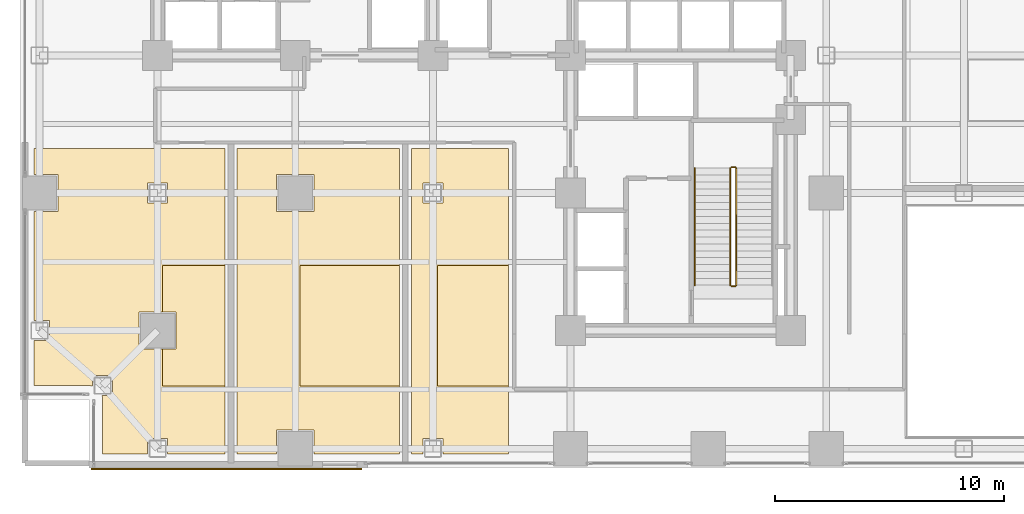
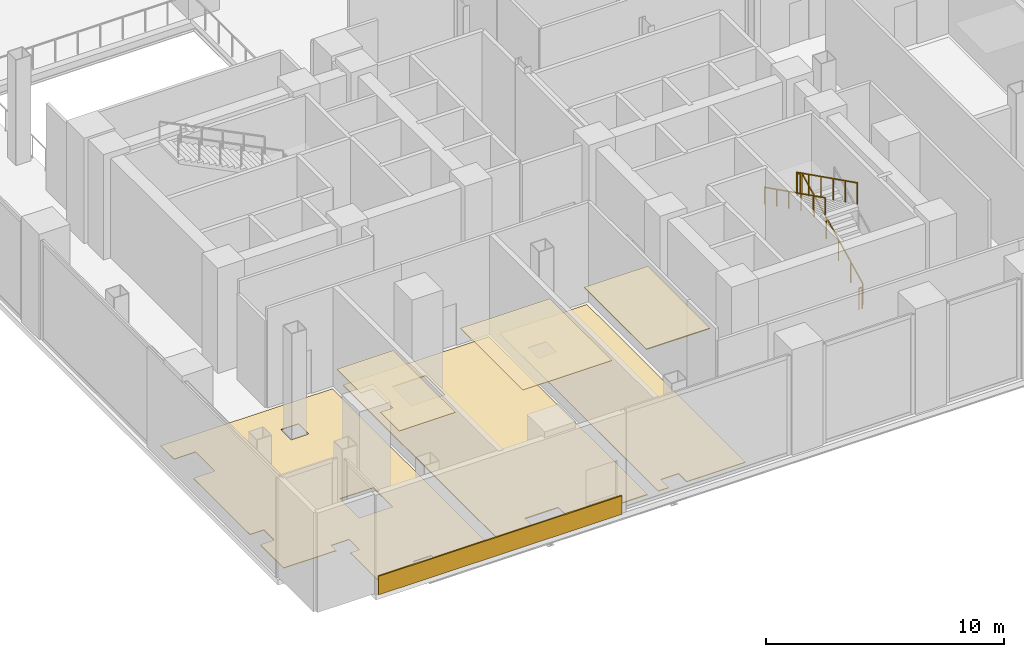
# One storey, part 24 of 28: 7 coverings, 5 railings.
"""IFC4 building model written with IfcOpenShell, lengths in metres."""

from ifc_helpers import new_model, si_unit, direction, frame, origin, origin_2d, place, context, subcontext, project, spatial, polyline, rectangle, outline, extrude, material, layer, layer_set, type_object, element, save


model = new_model("IFC4")

# Units and contexts
model_context = context("Model", 3, precision=1e-05, world=origin(), true_north=direction((0.0, 1.0)))
body_context = subcontext(model_context, "Body", "Model", "MODEL_VIEW")
ifc_project = project(units=[si_unit("LENGTHUNIT", "METRE"), si_unit("AREAUNIT", "SQUARE_METRE"), si_unit("VOLUMEUNIT", "CUBIC_METRE"), si_unit("PLANEANGLEUNIT", "RADIAN"), si_unit("MASSUNIT", "GRAM", prefix="KILO"), si_unit("THERMODYNAMICTEMPERATUREUNIT", "KELVIN"), si_unit("POWERUNIT", "WATT")], contexts=[model_context])

# Site, building, storey
site_placement = place(None, origin())
site = spatial("IfcSite", under=ifc_project, at=site_placement, CompositionType="ELEMENT")
building_placement = place(site_placement, origin())
building = spatial("IfcBuilding", under=site, at=building_placement, Name="Svarakhadi Broadcast Tower", CompositionType="ELEMENT")
storey_placement = place(building_placement, frame((0.0, 0.0, 11.10009765625)))
storey = spatial("IfcBuildingStorey", under=building, at=storey_placement, Name="L02", CompositionType="ELEMENT", Elevation=11.10009765625)

# Coverings
ifc_material_1 = material(Name="Glazed Monsoon Terracotta Rainscreen Tile", Category="masonry")
ifc_layer_1 = layer(ifc_material_1, 0.06494140625)
ifc_layer_set_1 = layer_set([ifc_layer_1], Name="Glazed Monsoon Terracotta Rainscreen Tile")
covering_type_1 = type_object("IfcCoveringType", Name="Cladding_Terracotta_CL01", PredefinedType="CLADDING", material=ifc_layer_set_1)
covering_1_placement = place(storey_placement, origin())
element("IfcCovering", 1, at=covering_1_placement, inside=storey, type_object=covering_type_1, Name="L02 Terracotta Monsoon Spandrel Rainscreen Cladding CL-01", PredefinedType="CLADDING", context=body_context, shape_type="SweptSolid", body=[
    extrude(outline(polyline([(3.10009765625, -0.06494140625), (14.89990234375, -0.06494140625), (14.89990234375, 0.0), (3.10009765625, 0.0), (3.10009765625, -0.06494140625)])), origin(), (0.0, 0.0, 1.0), 0.949951171875),
])
ifc_material_2 = material(Name="Anodised Bronze Aluminium Linear Acoustic Baffle", Category="aluminium")
ifc_layer_2 = layer(ifc_material_2, 0.044921875)
ifc_layer_set_2 = layer_set([ifc_layer_2], Name="Anodised Bronze Aluminium Linear Acoustic Baffle")
covering_type_2 = type_object("IfcCoveringType", Name="Cov_Ceiling_Baffle", PredefinedType="CEILING", material=ifc_layer_set_2)
covering_2_placement = place(storey_placement, frame((0.0, 0.0, 5.054931640625)))
element("IfcCovering", 2, at=covering_2_placement, inside=storey, type_object=covering_type_2, Name="L02 L02 Crew Green Room and Pantry Acoustic Ceiling", PredefinedType="CEILING", context=body_context, shape_type="SweptSolid", body=[
    extrude(outline(polyline([(21.2900390625, 3.594970703125), (18.2099609375, 3.594970703125), (18.2099609375, 8.830078125), (21.2900390625, 8.830078125), (21.2900390625, 3.594970703125)])), origin(), (0.0, 0.0, 1.0), 0.044921875),
])
ifc_material_3 = material(Name="Micro-Perforated Mineral Fibre Acoustic Ceiling Tile", Category="mineral_fibre")
ifc_layer_3 = layer(ifc_material_3, 0.02490234375)
ifc_layer_set_3 = layer_set([ifc_layer_3], Name="Micro-Perforated Mineral Fibre Acoustic Ceiling Tile")
covering_type_3 = type_object("IfcCoveringType", Name="Cov_Ceiling_Tile", PredefinedType="CEILING", material=ifc_layer_set_3)
covering_3_placement = place(storey_placement, frame((0.0, 0.0, 5.074951171875)))
element("IfcCovering", 3, at=covering_3_placement, inside=storey, type_object=covering_type_3, Name="L02 L02 Master Control Broadcast Room Acoustic Ceiling", PredefinedType="CEILING", context=body_context, shape_type="SweptSolid", body=[
    extrude(outline(polyline([(8.93994140625, 3.594970703125), (6.2099609375, 3.594970703125), (6.2099609375, 3.81005859375), (6.2099609375, 5.18994140625), (6.81005859375, 5.18994140625), (6.81005859375, 6.81005859375), (6.2099609375, 6.81005859375), (6.2099609375, 8.830078125), (8.93994140625, 8.830078125), (8.93994140625, 3.594970703125)])), origin(), (0.0, 0.0, 1.0), 0.02490234375),
])
covering_4_placement = place(storey_placement, frame((0.0, 0.0, 5.074951171875)))
element("IfcCovering", 4, at=covering_4_placement, inside=storey, type_object=covering_type_3, Name="L02 L02 Audio Post-Production Mixing Room Acoustic Ceiling", PredefinedType="CEILING", context=body_context, shape_type="SweptSolid", body=[
    extrude(outline(polyline([(16.5400390625, 3.594970703125), (12.2099609375, 3.594970703125), (12.2099609375, 8.830078125), (16.5400390625, 8.830078125), (16.5400390625, 3.594970703125)])), origin(), (0.0, 0.0, 1.0), 0.02490234375),
])
ifc_material_4 = material(Name="Heavy-Duty Anti-Static Broadcast Raised Access Floor", Category="steel")
ifc_layer_4 = layer(ifc_material_4, 0.050048828125)
ifc_layer_set_4 = layer_set([ifc_layer_4], Name="Heavy-Duty Anti-Static Broadcast Raised Access Floor")
covering_type_4 = type_object("IfcCoveringType", Name="Cov_Floor_Access", PredefinedType="FLOORING", material=ifc_layer_set_4)
covering_5_placement = place(storey_placement, origin())
element("IfcCovering", 5, at=covering_5_placement, inside=storey, type_object=covering_type_4, Name="L02 L02 Audio Post-Production Mixing Room Floor Finish", PredefinedType="FLOORING", context=body_context, shape_type="SweptSolid", body=[
    extrude(outline(polyline([(16.5400390625, 13.93994140625), (16.5400390625, 0.610107421875), (12.81005859375, 0.610107421875), (12.81005859375, 1.659912109375), (11.18994140625, 1.659912109375), (11.18994140625, 0.610107421875), (9.4599609375, 0.610107421875), (9.4599609375, 13.93994140625), (16.5400390625, 13.93994140625)]), holes=[polyline([(11.18994140625, 11.18994140625), (12.81005859375, 11.18994140625), (12.81005859375, 12.81005859375), (11.18994140625, 12.81005859375), (11.18994140625, 11.18994140625)])]), origin(), (0.0, 0.0, 1.0), 0.0498046875),
])
ifc_material_5 = material(Name="Honed Konkan Basalt Stone Tile Flooring", Category="masonry")
ifc_layer_5 = layer(ifc_material_5, 0.034912109375)
ifc_layer_set_5 = layer_set([ifc_layer_5], Name="Honed Konkan Basalt Stone Tile Flooring")
covering_type_5 = type_object("IfcCoveringType", Name="Cov_Floor_Basalt", PredefinedType="FLOORING", material=ifc_layer_set_5)
covering_6_placement = place(storey_placement, origin())
element("IfcCovering", 6, at=covering_6_placement, inside=storey, type_object=covering_type_5, Name="L02 L02 Master Control Broadcast Room Floor Finish", PredefinedType="FLOORING", context=body_context, shape_type="SweptSolid", body=[
    extrude(outline(polyline([(8.93994140625, 0.610107421875), (6.43505859375, 0.610107421875), (6.43505859375, 1.284912109375), (5.56494140625, 1.284912109375), (5.56494140625, 0.610107421875), (3.60009765625, 0.610107421875), (3.60009765625, 3.0), (3.60009765625, 3.009033203125), (3.597900390625, 3.050048828125), (3.595947265625, 3.06689453125), (3.590087890625, 3.10791015625), (3.5869140625, 3.1259765625), (3.576904296875, 3.1650390625), (4.034912109375, 3.1650390625), (4.034912109375, 4.034912109375), (3.1650390625, 4.034912109375), (3.1650390625, 3.576904296875), (3.1259765625, 3.5869140625), (3.10791015625, 3.590087890625), (3.06689453125, 3.595947265625), (3.050048828125, 3.597900390625), (3.009033203125, 3.60009765625), (3.0, 3.60009765625), (0.610107421875, 3.60009765625), (0.610107421875, 5.56494140625), (1.284912109375, 5.56494140625), (1.284912109375, 6.43505859375), (0.610107421875, 6.43505859375), (0.610107421875, 11.18994140625), (1.659912109375, 11.18994140625), (1.659912109375, 12.81005859375), (0.610107421875, 12.81005859375), (0.610107421875, 13.93994140625), (8.93994140625, 13.93994140625), (8.93994140625, 0.610107421875)]), holes=[polyline([(5.18994140625, 5.18994140625), (6.81005859375, 5.18994140625), (6.81005859375, 6.81005859375), (5.18994140625, 6.81005859375), (5.18994140625, 5.18994140625)]), polyline([(5.56494140625, 11.56494140625), (6.43505859375, 11.56494140625), (6.43505859375, 12.43505859375), (5.56494140625, 12.43505859375), (5.56494140625, 11.56494140625)])]), origin(), (0.0, 0.0, 1.0), 0.034912109375),
])
covering_7_placement = place(storey_placement, origin())
element("IfcCovering", 7, at=covering_7_placement, inside=storey, type_object=covering_type_5, Name="L02 L02 Crew Green Room and Pantry Floor Finish", PredefinedType="FLOORING", context=body_context, shape_type="SweptSolid", body=[
    extrude(outline(polyline([(21.2900390625, 13.93994140625), (21.2900390625, 0.610107421875), (18.43505859375, 0.610107421875), (18.43505859375, 1.284912109375), (17.56494140625, 1.284912109375), (17.56494140625, 0.610107421875), (17.06005859375, 0.610107421875), (17.06005859375, 13.93994140625), (21.2900390625, 13.93994140625)]), holes=[polyline([(17.56494140625, 11.56494140625), (18.43505859375, 11.56494140625), (18.43505859375, 12.43505859375), (17.56494140625, 12.43505859375), (17.56494140625, 11.56494140625)])]), origin(), (0.0, 0.0, 1.0), 0.034912109375),
])

# Railings
ifc_material_6 = material(Name="Anodised Bronze Aluminium AA 6063-T6", Category="aluminium")
railing_type_1 = type_object("IfcRailingType", Name="Guard_Stair_GR01", PredefinedType="GUARDRAIL", material=ifc_material_6)
railing_1_placement = place(storey_placement, frame((31.22998046875, 7.97998046875, 0.14990234375)))
element("IfcRailing", 8, at=railing_1_placement, inside=storey, type_object=railing_type_1, Name="L02 ST-02 stair guard 1", PredefinedType="GUARDRAIL", context=body_context, shape_type="SweptSolid", body=[
    extrude(rectangle(XDim=0.048095703125, YDim=0.048095703125, at=origin_2d()), frame((0.0, 0.0, 1.09619140625), z_axis=(0.0, 0.894427191, 0.4472135955), x_axis=(-1.0, 0.0, 0.0)), (0.0, 0.0, 1.0), 5.7021484375),
    extrude(rectangle(XDim=0.0419921875, YDim=0.0419921875, at=origin_2d()), origin(), (0.0, 0.0, 1.0), 1.072021484375),
    extrude(rectangle(XDim=0.0419921875, YDim=0.0419921875, at=origin_2d()), frame((0.0, 1.02001953125, 0.510009765625)), (0.0, 0.0, 1.0), 1.072021484375),
    extrude(rectangle(XDim=0.0419921875, YDim=0.0419921875, at=origin_2d()), frame((0.0, 2.0400390625, 1.02001953125)), (0.0, 0.0, 1.0), 1.072021484375),
    extrude(rectangle(XDim=0.0419921875, YDim=0.0419921875, at=origin_2d()), frame((0.0, 3.06005859375, 1.530029296875)), (0.0, 0.0, 1.0), 1.072021484375),
    extrude(rectangle(XDim=0.0419921875, YDim=0.0419921875, at=origin_2d()), frame((0.0, 4.080078125, 2.0400390625)), (0.0, 0.0, 1.0), 1.072021484375),
    extrude(rectangle(XDim=0.0419921875, YDim=0.0419921875, at=origin_2d()), frame((0.0, 5.10009765625, 2.550048828125)), (0.0, 0.0, 1.0), 1.072021484375),
])
railing_2_placement = place(storey_placement, frame((31.179931640625, 13.1298828125, 2.699951171875)))
element("IfcRailing", 9, at=railing_2_placement, inside=storey, type_object=railing_type_1, Name="L02 ST-02 stair guard 2", PredefinedType="GUARDRAIL", context=body_context, shape_type="SweptSolid", body=[
    extrude(rectangle(XDim=0.048095703125, YDim=0.048095703125, at=origin_2d()), frame((0.0, 0.0, 1.09619140625), z_axis=(-1.0, 0.0, 0.0), x_axis=(0.0, -1.0, 0.0)), (0.0, 0.0, 1.0), 0.159912109375),
    extrude(rectangle(XDim=0.0419921875, YDim=0.0419921875, at=origin_2d()), origin(), (0.0, 0.0, 1.0), 1.072021484375),
    extrude(rectangle(XDim=0.0419921875, YDim=0.0419921875, at=origin_2d()), frame((-0.159912109375, 0.0, 0.0)), (0.0, 0.0, 1.0), 1.072021484375),
])
railing_3_placement = place(storey_placement, frame((30.969970703125, 13.080078125, 2.849853515625)))
element("IfcRailing", 10, at=railing_3_placement, inside=storey, type_object=railing_type_1, Name="L02 ST-02 stair guard 3", PredefinedType="GUARDRAIL", context=body_context, shape_type="SweptSolid", body=[
    extrude(rectangle(XDim=0.048095703125, YDim=0.048095703125, at=origin_2d()), frame((0.0, 0.0, 1.09619140625), z_axis=(0.0, -0.894427191, 0.4472135955), x_axis=(1.0, 0.0, 0.0)), (0.0, 0.0, 1.0), 5.7021484375),
    extrude(rectangle(XDim=0.0419921875, YDim=0.0419921875, at=origin_2d()), origin(), (0.0, 0.0, 1.0), 1.072021484375),
    extrude(rectangle(XDim=0.0419921875, YDim=0.0419921875, at=origin_2d()), frame((0.0, -1.02001953125, 0.510009765625)), (0.0, 0.0, 1.0), 1.072021484375),
    extrude(rectangle(XDim=0.0419921875, YDim=0.0419921875, at=origin_2d()), frame((0.0, -2.0400390625, 1.02001953125)), (0.0, 0.0, 1.0), 1.072021484375),
    extrude(rectangle(XDim=0.0419921875, YDim=0.0419921875, at=origin_2d()), frame((0.0, -3.06005859375, 1.530029296875)), (0.0, 0.0, 1.0), 1.072021484375),
    extrude(rectangle(XDim=0.0419921875, YDim=0.0419921875, at=origin_2d()), frame((0.0, -4.080078125, 2.0400390625)), (0.0, 0.0, 1.0), 1.072021484375),
    extrude(rectangle(XDim=0.0419921875, YDim=0.0419921875, at=origin_2d()), frame((0.0, -5.10009765625, 2.550048828125)), (0.0, 0.0, 1.0), 1.072021484375),
])
railing_4_placement = place(storey_placement, frame((31.179931640625, 7.929931640625, 0.0)))
element("IfcRailing", 11, at=railing_4_placement, inside=storey, type_object=railing_type_1, Name="L02 ST-02 stair guard 4", PredefinedType="GUARDRAIL", context=body_context, shape_type="SweptSolid", body=[
    extrude(rectangle(XDim=0.048095703125, YDim=0.048095703125, at=origin_2d()), frame((0.0, 0.0, 1.09619140625), z_axis=(-1.0, 0.0, 0.0), x_axis=(0.0, -1.0, 0.0)), (0.0, 0.0, 1.0), 0.159912109375),
    extrude(rectangle(XDim=0.0419921875, YDim=0.0419921875, at=origin_2d()), origin(), (0.0, 0.0, 1.0), 1.072021484375),
    extrude(rectangle(XDim=0.0419921875, YDim=0.0419921875, at=origin_2d()), frame((-0.159912109375, 0.0, 0.0)), (0.0, 0.0, 1.0), 1.072021484375),
])
railing_type_2 = type_object("IfcRailingType", Name="Handrail_Stair_HR01", PredefinedType="HANDRAIL", material=ifc_material_6)
railing_5_placement = place(storey_placement, frame((29.409912109375, 13.080078125, 2.849853515625)))
element("IfcRailing", 12, at=railing_5_placement, inside=storey, type_object=railing_type_2, Name="L02 ST-02 stair handrail 2", PredefinedType="HANDRAIL", context=body_context, shape_type="SweptSolid", body=[
    extrude(rectangle(XDim=0.048095703125, YDim=0.048095703125, at=origin_2d()), frame((0.0, 0.0, 0.8759765625), z_axis=(0.0, -0.894427191, 0.4472135955), x_axis=(1.0, 0.0, 0.0)), (0.0, 0.0, 1.0), 5.7021484375),
    extrude(rectangle(XDim=0.0419921875, YDim=0.0419921875, at=origin_2d()), origin(), (0.0, 0.0, 1.0), 0.851806640625),
    extrude(rectangle(XDim=0.0419921875, YDim=0.0419921875, at=origin_2d()), frame((0.0, -1.02001953125, 0.510009765625)), (0.0, 0.0, 1.0), 0.851806640625),
    extrude(rectangle(XDim=0.0419921875, YDim=0.0419921875, at=origin_2d()), frame((0.0, -2.0400390625, 1.02001953125)), (0.0, 0.0, 1.0), 0.851806640625),
    extrude(rectangle(XDim=0.0419921875, YDim=0.0419921875, at=origin_2d()), frame((0.0, -3.06005859375, 1.530029296875)), (0.0, 0.0, 1.0), 0.851806640625),
    extrude(rectangle(XDim=0.0419921875, YDim=0.0419921875, at=origin_2d()), frame((0.0, -4.080078125, 2.0400390625)), (0.0, 0.0, 1.0), 0.851806640625),
    extrude(rectangle(XDim=0.0419921875, YDim=0.0419921875, at=origin_2d()), frame((0.0, -5.10009765625, 2.550048828125)), (0.0, 0.0, 1.0), 0.851806640625),
])

save(model, "model.ifc")
